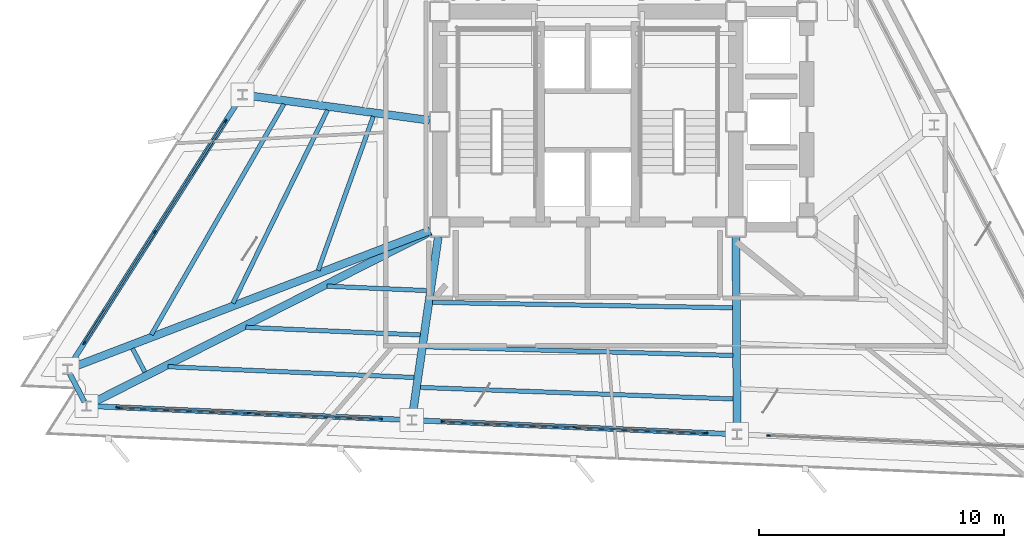
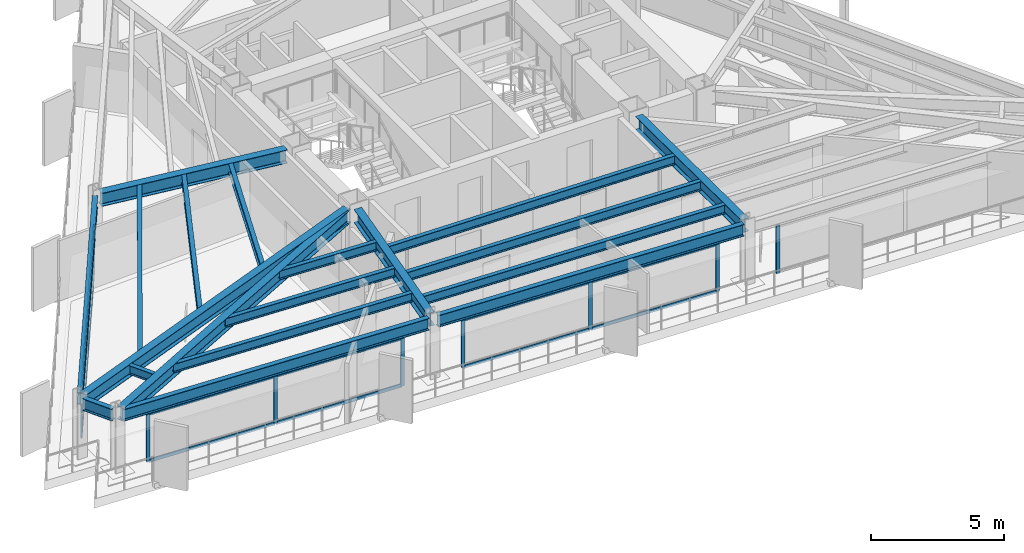
# One storey, part 2 of 12: 22 members, 19 beams, 4 elements without a shape of their own.
"""IFC4 building model written with IfcOpenShell, lengths in metres."""

from ifc_helpers import new_model, si_unit, direction, frame, origin, origin_2d, place, context, subcontext, project, spatial, rectangle, i_section, extrude, material, layer, layer_set, material_profile, profile_set, type_object, element, aggregate, save


model = new_model("IFC4")

# Units and contexts
model_context = context("Model", 3, precision=1e-05, world=origin(), true_north=direction((0.0, 1.0)))
body_context = subcontext(model_context, "Body", "Model", "MODEL_VIEW")
ifc_project = project(units=[si_unit("LENGTHUNIT", "METRE"), si_unit("AREAUNIT", "SQUARE_METRE"), si_unit("VOLUMEUNIT", "CUBIC_METRE"), si_unit("PLANEANGLEUNIT", "RADIAN"), si_unit("MASSUNIT", "GRAM", prefix="KILO")], contexts=[model_context])

# Site, building, storey
site_placement = place(None, origin())
site = spatial("IfcSite", under=ifc_project, at=site_placement, CompositionType="ELEMENT")
building_placement = place(site_placement, origin())
building = spatial("IfcBuilding", under=site, at=building_placement, Name="Rocaltana Carrier Exchange", CompositionType="ELEMENT")
storey_placement = place(building_placement, frame((0.0, 0.0, 125.919921875)))
storey = spatial("IfcBuildingStorey", under=building, at=storey_placement, Name="L39", CompositionType="ELEMENT", Elevation=125.919921875)

# Curtain wall, members
ifc_material_1 = material(Name="Aluminium 6063-T6", Category="aluminium")
ifc_layer = layer(ifc_material_1, 0.14990234375)
ifc_layer_set = layer_set([ifc_layer], Name="Aluminium 6063-T6")
curtain_wall_type = type_object("IfcCurtainWallType", Name="Mid-Tower Unitised Curtain Wall CW-03", PredefinedType="NOTDEFINED", material=ifc_layer_set)
curtain_wall_1_placement = place(storey_placement, origin())
curtain_wall_1 = element("IfcCurtainWall", 1, at=curtain_wall_1_placement, inside=storey, type_object=curtain_wall_type, Name="L39 CW-03 Run CW-L39-F2S3", PredefinedType="NOTDEFINED")
ifc_material_2 = material(Name="Aluminium 6063-T6", Category="aluminium")
ifc_material_profile_1 = material_profile(ifc_material_2, rectangle(XDim=0.06005859375, YDim=0.14990234375, at=origin_2d()), Name="AL-60X150")
ifc_profile_set_1 = profile_set([ifc_material_profile_1], Name="Aluminium 6063-T6")
member_type_1 = type_object("IfcMemberType", Name="CW-03 Mullion AL-60X150", PredefinedType="MULLION", material=ifc_profile_set_1)
member_1_placement = place(storey_placement, frame((-14.79541015625, 0.023193359375, 0.0), z_axis=(0.0, 0.0, 1.0), x_axis=(0.843390685726, -0.537300801443, 0.0)))
member_1 = element("IfcMember", 2, at=member_1_placement, type_object=member_type_1, Name="CW-03 mullion 1", PredefinedType="MULLION", context=body_context, shape_type="SweptSolid", body=[
    extrude(rectangle(XDim=0.06005859375, YDim=0.14990234375, at=origin_2d()), origin(), (0.0, 0.0, 1.0), 2.218017578125),
])
member_2_placement = place(storey_placement, frame((-17.680908203125, -4.505859375, 0.0), z_axis=(0.0, 0.0, 1.0), x_axis=(0.843390685726, -0.537300801443, 0.0)))
member_2 = element("IfcMember", 3, at=member_2_placement, type_object=member_type_1, Name="CW-03 mullion 2", PredefinedType="MULLION", context=body_context, shape_type="SweptSolid", body=[
    extrude(rectangle(XDim=0.06005859375, YDim=0.14990234375, at=origin_2d()), origin(), (0.0, 0.0, 1.0), 2.218017578125),
])
member_3_placement = place(storey_placement, frame((-20.566162109375, -9.034912109375, 0.0), z_axis=(0.0, 0.0, 1.0), x_axis=(0.843390685726, -0.537300801443, 0.0)))
member_3 = element("IfcMember", 4, at=member_3_placement, type_object=member_type_1, Name="CW-03 mullion 3", PredefinedType="MULLION", context=body_context, shape_type="SweptSolid", body=[
    extrude(rectangle(XDim=0.06005859375, YDim=0.14990234375, at=origin_2d()), origin(), (0.0, 0.0, 1.0), 2.218017578125),
])

curtain_wall_2_placement = place(storey_placement, origin())
curtain_wall_2 = element("IfcCurtainWall", 5, at=curtain_wall_2_placement, inside=storey, type_object=curtain_wall_type, Name="L39 CW-03 Run CW-L39-F3S1", PredefinedType="NOTDEFINED")
member_4_placement = place(storey_placement, frame((-19.197021484375, -11.66455078125, 0.0), z_axis=(0.0, 0.0, 1.0), x_axis=(0.043629290456, 0.999047789154, 0.0)))
member_4 = element("IfcMember", 6, at=member_4_placement, type_object=member_type_1, Name="CW-03 mullion 1", PredefinedType="MULLION", context=body_context, shape_type="SweptSolid", body=[
    extrude(rectangle(XDim=0.06005859375, YDim=0.14990234375, at=origin_2d()), origin(), (0.0, 0.0, 1.0), 2.218017578125),
])
member_5_placement = place(storey_placement, frame((-13.832275390625, -11.89892578125, 0.0), z_axis=(0.0, 0.0, 1.0), x_axis=(0.043629290456, 0.999047789154, 0.0)))
member_5 = element("IfcMember", 7, at=member_5_placement, type_object=member_type_1, Name="CW-03 mullion 2", PredefinedType="MULLION", context=body_context, shape_type="SweptSolid", body=[
    extrude(rectangle(XDim=0.06005859375, YDim=0.14990234375, at=origin_2d()), origin(), (0.0, 0.0, 1.0), 2.218017578125),
])
member_6_placement = place(storey_placement, frame((-8.46728515625, -12.13330078125, 0.0), z_axis=(0.0, 0.0, 1.0), x_axis=(0.043629290456, 0.999047789154, 0.0)))
member_6 = element("IfcMember", 8, at=member_6_placement, type_object=member_type_1, Name="CW-03 mullion 3", PredefinedType="MULLION", context=body_context, shape_type="SweptSolid", body=[
    extrude(rectangle(XDim=0.06005859375, YDim=0.14990234375, at=origin_2d()), origin(), (0.0, 0.0, 1.0), 2.218017578125),
])

curtain_wall_3_placement = place(storey_placement, origin())
curtain_wall_3 = element("IfcCurtainWall", 9, at=curtain_wall_3_placement, inside=storey, type_object=curtain_wall_type, Name="L39 CW-03 Run CW-L39-F3S2", PredefinedType="NOTDEFINED")
member_7_placement = place(storey_placement, frame((-5.90966796875, -12.244873046875, 0.0), z_axis=(0.0, 0.0, 1.0), x_axis=(0.043620452398, 0.999048175081, 0.0)))
member_7 = element("IfcMember", 10, at=member_7_placement, type_object=member_type_1, Name="CW-03 mullion 1", PredefinedType="MULLION", context=body_context, shape_type="SweptSolid", body=[
    extrude(rectangle(XDim=0.06005859375, YDim=0.14990234375, at=origin_2d()), origin(), (0.0, 0.0, 1.0), 2.218017578125),
])
member_8_placement = place(storey_placement, frame((-0.544921875, -12.47900390625, 0.0), z_axis=(0.0, 0.0, 1.0), x_axis=(0.043620452398, 0.999048175081, 0.0)))
member_8 = element("IfcMember", 11, at=member_8_placement, type_object=member_type_1, Name="CW-03 mullion 2", PredefinedType="MULLION", context=body_context, shape_type="SweptSolid", body=[
    extrude(rectangle(XDim=0.06005859375, YDim=0.14990234375, at=origin_2d()), origin(), (0.0, 0.0, 1.0), 2.218017578125),
])
member_9_placement = place(storey_placement, frame((4.820068359375, -12.71337890625, 0.0), z_axis=(0.0, 0.0, 1.0), x_axis=(0.043620452398, 0.999048175081, 0.0)))
member_9 = element("IfcMember", 12, at=member_9_placement, type_object=member_type_1, Name="CW-03 mullion 3", PredefinedType="MULLION", context=body_context, shape_type="SweptSolid", body=[
    extrude(rectangle(XDim=0.06005859375, YDim=0.14990234375, at=origin_2d()), origin(), (0.0, 0.0, 1.0), 2.218017578125),
])

# Curtain wall, member
curtain_wall_4_placement = place(storey_placement, origin())
curtain_wall_4 = element("IfcCurtainWall", 13, at=curtain_wall_4_placement, inside=storey, type_object=curtain_wall_type, Name="L39 CW-03 Run CW-L39-F3S3", PredefinedType="NOTDEFINED")
member_10_placement = place(storey_placement, frame((7.377685546875, -12.824951171875, 0.0), z_axis=(0.0, 0.0, 1.0), x_axis=(0.043629290456, 0.999047789154, 0.0)))
member_10 = element("IfcMember", 14, at=member_10_placement, type_object=member_type_1, Name="CW-03 mullion 1", PredefinedType="MULLION", context=body_context, shape_type="SweptSolid", body=[
    extrude(rectangle(XDim=0.06005859375, YDim=0.14990234375, at=origin_2d()), origin(), (0.0, 0.0, 1.0), 2.218017578125),
])
aggregate(curtain_wall_4, [member_10])

# Member
ifc_material_3 = material(Name="Aluminium 6063-T6", Category="aluminium")
ifc_material_profile_2 = material_profile(ifc_material_3, rectangle(XDim=0.06005859375, YDim=0.14990234375, at=origin_2d()), Name="AL-60X150")
ifc_profile_set_2 = profile_set([ifc_material_profile_2], Name="Aluminium 6063-T6")
member_type_2 = type_object("IfcMemberType", Name="CW-03 Transom AL-60X150", PredefinedType="USERDEFINED", material=ifc_profile_set_2)
member_11_placement = place(storey_placement, frame((-14.8115234375, -0.001953125, 0.030029296875), z_axis=(-0.537318678484, -0.843379296493, 0.0), x_axis=(0.843379296493, -0.537318678484, 0.0)))
member_11 = element("IfcMember", 15, at=member_11_placement, type_object=member_type_2, Name="CW-03 transom 1.1", ObjectType="TRANSOM", PredefinedType="USERDEFINED", context=body_context, shape_type="SweptSolid", body=[
    extrude(rectangle(XDim=0.06005859375, YDim=0.14990234375, at=origin_2d()), origin(), (0.0, 0.0, 1.0), 5.310302734375),
])

member_12_placement = place(storey_placement, frame((-14.8115234375, -0.001953125, 2.18798828125), z_axis=(-0.537318678484, -0.843379296493, 0.0), x_axis=(0.843379296493, -0.537318678484, 0.0)))
member_12 = element("IfcMember", 16, at=member_12_placement, type_object=member_type_2, Name="CW-03 transom 1.2", ObjectType="TRANSOM", PredefinedType="USERDEFINED", context=body_context, shape_type="SweptSolid", body=[
    extrude(rectangle(XDim=0.06005859375, YDim=0.14990234375, at=origin_2d()), origin(), (0.0, 0.0, 1.0), 5.310302734375),
])

member_13_placement = place(storey_placement, frame((-17.697021484375, -4.531005859375, 0.030029296875), z_axis=(-0.537285975238, -0.843400130906, 0.0), x_axis=(0.843400130906, -0.537285975238, 0.0)))
member_13 = element("IfcMember", 17, at=member_13_placement, type_object=member_type_2, Name="CW-03 transom 2.1", ObjectType="TRANSOM", PredefinedType="USERDEFINED", context=body_context, shape_type="SweptSolid", body=[
    extrude(rectangle(XDim=0.06005859375, YDim=0.14990234375, at=origin_2d()), origin(), (0.0, 0.0, 1.0), 5.31005859375),
])

member_14_placement = place(storey_placement, frame((-17.697021484375, -4.531005859375, 2.18798828125), z_axis=(-0.537285975238, -0.843400130906, 0.0), x_axis=(0.843400130906, -0.537285975238, 0.0)))
member_14 = element("IfcMember", 18, at=member_14_placement, type_object=member_type_2, Name="CW-03 transom 2.2", ObjectType="TRANSOM", PredefinedType="USERDEFINED", context=body_context, shape_type="SweptSolid", body=[
    extrude(rectangle(XDim=0.06005859375, YDim=0.14990234375, at=origin_2d()), origin(), (0.0, 0.0, 1.0), 5.31005859375),
])

aggregate(curtain_wall_1, [member_1, member_2, member_3, member_11, member_12, member_13, member_14])

member_15_placement = place(storey_placement, frame((-19.167236328125, -11.666015625, 0.030029296875), z_axis=(0.999047725225, -0.043630754314, 0.0), x_axis=(0.043630754314, 0.999047725225, 0.0)))
member_15 = element("IfcMember", 19, at=member_15_placement, type_object=member_type_2, Name="CW-03 transom 1.1", ObjectType="TRANSOM", PredefinedType="USERDEFINED", context=body_context, shape_type="SweptSolid", body=[
    extrude(rectangle(XDim=0.06005859375, YDim=0.14990234375, at=origin_2d()), origin(), (0.0, 0.0, 1.0), 5.310302734375),
])

member_16_placement = place(storey_placement, frame((-19.167236328125, -11.666015625, 2.18798828125), z_axis=(0.999047725225, -0.043630754314, 0.0), x_axis=(0.043630754314, 0.999047725225, 0.0)))
member_16 = element("IfcMember", 20, at=member_16_placement, type_object=member_type_2, Name="CW-03 transom 1.2", ObjectType="TRANSOM", PredefinedType="USERDEFINED", context=body_context, shape_type="SweptSolid", body=[
    extrude(rectangle(XDim=0.06005859375, YDim=0.14990234375, at=origin_2d()), origin(), (0.0, 0.0, 1.0), 5.310302734375),
])

member_17_placement = place(storey_placement, frame((-13.80224609375, -11.900146484375, 0.030029296875), z_axis=(0.999047637698, -0.043632758442, 0.0), x_axis=(0.043632758442, 0.999047637698, 0.0)))
member_17 = element("IfcMember", 21, at=member_17_placement, type_object=member_type_2, Name="CW-03 transom 2.1", ObjectType="TRANSOM", PredefinedType="USERDEFINED", context=body_context, shape_type="SweptSolid", body=[
    extrude(rectangle(XDim=0.06005859375, YDim=0.14990234375, at=origin_2d()), origin(), (0.0, 0.0, 1.0), 5.31005859375),
])

member_18_placement = place(storey_placement, frame((-13.80224609375, -11.900146484375, 2.18798828125), z_axis=(0.999047637698, -0.043632758442, 0.0), x_axis=(0.043632758442, 0.999047637698, 0.0)))
member_18 = element("IfcMember", 22, at=member_18_placement, type_object=member_type_2, Name="CW-03 transom 2.2", ObjectType="TRANSOM", PredefinedType="USERDEFINED", context=body_context, shape_type="SweptSolid", body=[
    extrude(rectangle(XDim=0.06005859375, YDim=0.14990234375, at=origin_2d()), origin(), (0.0, 0.0, 1.0), 5.31005859375),
])

aggregate(curtain_wall_2, [member_4, member_5, member_6, member_15, member_16, member_17, member_18])

member_19_placement = place(storey_placement, frame((-5.879638671875, -12.24609375, 0.030029296875), z_axis=(0.999047637698, -0.043632758442, 0.0), x_axis=(0.043632758442, 0.999047637698, 0.0)))
member_19 = element("IfcMember", 23, at=member_19_placement, type_object=member_type_2, Name="CW-03 transom 1.1", ObjectType="TRANSOM", PredefinedType="USERDEFINED", context=body_context, shape_type="SweptSolid", body=[
    extrude(rectangle(XDim=0.06005859375, YDim=0.14990234375, at=origin_2d()), origin(), (0.0, 0.0, 1.0), 5.31005859375),
])

member_20_placement = place(storey_placement, frame((-5.879638671875, -12.24609375, 2.18798828125), z_axis=(0.999047637698, -0.043632758442, 0.0), x_axis=(0.043632758442, 0.999047637698, 0.0)))
member_20 = element("IfcMember", 24, at=member_20_placement, type_object=member_type_2, Name="CW-03 transom 1.2", ObjectType="TRANSOM", PredefinedType="USERDEFINED", context=body_context, shape_type="SweptSolid", body=[
    extrude(rectangle(XDim=0.06005859375, YDim=0.14990234375, at=origin_2d()), origin(), (0.0, 0.0, 1.0), 5.31005859375),
])

member_21_placement = place(storey_placement, frame((-0.514892578125, -12.48046875, 0.030029296875), z_axis=(0.999049640868, -0.04358686822, 0.0), x_axis=(0.04358686822, 0.999049640868, 0.0)))
member_21 = element("IfcMember", 25, at=member_21_placement, type_object=member_type_2, Name="CW-03 transom 2.1", ObjectType="TRANSOM", PredefinedType="USERDEFINED", context=body_context, shape_type="SweptSolid", body=[
    extrude(rectangle(XDim=0.06005859375, YDim=0.14990234375, at=origin_2d()), origin(), (0.0, 0.0, 1.0), 5.31005859375),
])

member_22_placement = place(storey_placement, frame((-0.514892578125, -12.48046875, 2.18798828125), z_axis=(0.999049640868, -0.04358686822, 0.0), x_axis=(0.04358686822, 0.999049640868, 0.0)))
member_22 = element("IfcMember", 26, at=member_22_placement, type_object=member_type_2, Name="CW-03 transom 2.2", ObjectType="TRANSOM", PredefinedType="USERDEFINED", context=body_context, shape_type="SweptSolid", body=[
    extrude(rectangle(XDim=0.06005859375, YDim=0.14990234375, at=origin_2d()), origin(), (0.0, 0.0, 1.0), 5.31005859375),
])

aggregate(curtain_wall_3, [member_7, member_8, member_9, member_19, member_20, member_21, member_22])

# Beams
ifc_material_4 = material(Name="Steel S355", Category="steel")
ifc_material_profile_3 = material_profile(ifc_material_4, i_section(OverallWidth=0.179931640625, OverallDepth=0.4130859375, WebThickness=0.009765625, FlangeThickness=0.01611328125, FilletRadius=0.012939453125, at=origin_2d()), Name="W16X50")
ifc_profile_set_3 = profile_set([ifc_material_profile_3], Name="Steel S355")
beam_type_1 = type_object("IfcBeamType", Name="Floor Joist W16X50", PredefinedType="JOIST", material=ifc_profile_set_3)
beam_1_placement = place(storey_placement, frame((-8.76171875, 0.217041015625, 2.58154296875), z_axis=(-0.33724376494, -0.941417358566, 0.0), x_axis=(0.941417358566, -0.33724376494, 0.0)))
element("IfcBeam", 27, at=beam_1_placement, inside=storey, type_object=beam_type_1, Name="FJ-L39-07-1", PredefinedType="JOIST", context=body_context, shape_type="SweptSolid", body=[
    extrude(i_section(OverallWidth=0.179931640625, OverallDepth=0.4130859375, WebThickness=0.009765625, FlangeThickness=0.01611328125, FilletRadius=0.012939453125, at=origin_2d()), origin(), (0.0, 0.0, 1.0), 6.680419921875),
])
beam_2_placement = place(storey_placement, frame((-10.631103515625, 0.4775390625, 2.58154296875), z_axis=(-0.439708785258, -0.898140403371, 0.0), x_axis=(0.898140403371, -0.439708785258, 0.0)))
element("IfcBeam", 28, at=beam_2_placement, inside=storey, type_object=beam_type_1, Name="FJ-L39-07-2", PredefinedType="JOIST", context=body_context, shape_type="SweptSolid", body=[
    extrude(i_section(OverallWidth=0.179931640625, OverallDepth=0.4130859375, WebThickness=0.009765625, FlangeThickness=0.01611328125, FilletRadius=0.012939453125, at=origin_2d()), origin(), (0.0, 0.0, 1.0), 8.788818359375),
])
beam_3_placement = place(storey_placement, frame((-12.412841796875, 0.724853515625, 2.58154296875), z_axis=(-0.498415428492, -0.866938325742, 0.0), x_axis=(0.866938325742, -0.498415428492, 0.0)))
element("IfcBeam", 29, at=beam_3_placement, inside=storey, type_object=beam_type_1, Name="FJ-L39-07-3", PredefinedType="JOIST", context=body_context, shape_type="SweptSolid", body=[
    extrude(i_section(OverallWidth=0.179931640625, OverallDepth=0.4130859375, WebThickness=0.009765625, FlangeThickness=0.01611328125, FilletRadius=0.012939453125, at=origin_2d()), origin(), (0.0, 0.0, 1.0), 10.871337890625),
])
beam_4_placement = place(storey_placement, frame((-18.59716796875, -9.26416015625, 2.58154296875), z_axis=(0.461805518623, -0.886981207788, 0.0), x_axis=(0.886981207788, 0.461805518623, 0.0)))
element("IfcBeam", 30, at=beam_4_placement, inside=storey, type_object=beam_type_1, Name="FJ-L39-08-3", PredefinedType="JOIST", context=body_context, shape_type="SweptSolid", body=[
    extrude(i_section(OverallWidth=0.179931640625, OverallDepth=0.4130859375, WebThickness=0.009765625, FlangeThickness=0.01611328125, FilletRadius=0.012939453125, at=origin_2d()), origin(), (0.0, 0.0, 1.0), 1.08642578125),
])
beam_5_placement = place(storey_placement, frame((-10.65478515625, -6.71875, 2.58154296875), z_axis=(0.999049367243, -0.043593139496, 0.0), x_axis=(0.043593139496, 0.999049367243, 0.0)))
element("IfcBeam", 31, at=beam_5_placement, inside=storey, type_object=beam_type_1, Name="FJ-L39-09-1", PredefinedType="JOIST", context=body_context, shape_type="SweptSolid", body=[
    extrude(i_section(OverallWidth=0.179931640625, OverallDepth=0.4130859375, WebThickness=0.009765625, FlangeThickness=0.01611328125, FilletRadius=0.012939453125, at=origin_2d()), origin(), (0.0, 0.0, 1.0), 4.0771484375),
])
beam_6_placement = place(storey_placement, frame((-13.97265625, -8.399658203125, 2.58154296875), z_axis=(0.999048136887, -0.043621327164, 0.0), x_axis=(0.043621327164, 0.999048136887, 0.0)))
element("IfcBeam", 32, at=beam_6_placement, inside=storey, type_object=beam_type_1, Name="FJ-L39-09-2", PredefinedType="JOIST", context=body_context, shape_type="SweptSolid", body=[
    extrude(i_section(OverallWidth=0.179931640625, OverallDepth=0.4130859375, WebThickness=0.009765625, FlangeThickness=0.01611328125, FilletRadius=0.012939453125, at=origin_2d()), origin(), (0.0, 0.0, 1.0), 7.135986328125),
])
beam_7_placement = place(storey_placement, frame((-17.146484375, -10.0078125, 2.58154296875), z_axis=(0.999049003147, -0.043601482906, 0.0), x_axis=(0.043601482906, 0.999049003147, 0.0)))
element("IfcBeam", 33, at=beam_7_placement, inside=storey, type_object=beam_type_1, Name="FJ-L39-09-3", PredefinedType="JOIST", context=body_context, shape_type="SweptSolid", body=[
    extrude(i_section(OverallWidth=0.179931640625, OverallDepth=0.4130859375, WebThickness=0.009765625, FlangeThickness=0.01611328125, FilletRadius=0.012939453125, at=origin_2d()), origin(), (0.0, 0.0, 1.0), 10.06201171875),
])
beam_8_placement = place(storey_placement, frame((-6.337890625, -7.37939453125, 2.58154296875), z_axis=(0.999837766755, -0.018012222821, 0.0), x_axis=(0.018012222821, 0.999837766755, 0.0)))
element("IfcBeam", 34, at=beam_8_placement, inside=storey, type_object=beam_type_1, Name="FJ-L39-10-1", PredefinedType="JOIST", context=body_context, shape_type="SweptSolid", body=[
    extrude(i_section(OverallWidth=0.179931640625, OverallDepth=0.4130859375, WebThickness=0.009765625, FlangeThickness=0.01611328125, FilletRadius=0.012939453125, at=origin_2d()), origin(), (0.0, 0.0, 1.0), 12.2529296875),
])
beam_9_placement = place(storey_placement, frame((-6.599853515625, -9.195556640625, 2.58154296875), z_axis=(0.999607887899, -0.028001258015, 0.0), x_axis=(0.028001258015, 0.999607887899, 0.0)))
element("IfcBeam", 35, at=beam_9_placement, inside=storey, type_object=beam_type_1, Name="FJ-L39-10-2", PredefinedType="JOIST", context=body_context, shape_type="SweptSolid", body=[
    extrude(i_section(OverallWidth=0.179931640625, OverallDepth=0.4130859375, WebThickness=0.009765625, FlangeThickness=0.01611328125, FilletRadius=0.012939453125, at=origin_2d()), origin(), (0.0, 0.0, 1.0), 12.529052734375),
])
beam_10_placement = place(storey_placement, frame((-6.839111328125, -10.853515625, 2.58154296875), z_axis=(0.999323856685, -0.036767233503, 0.0), x_axis=(0.036767233503, 0.999323856685, 0.0)))
element("IfcBeam", 36, at=beam_10_placement, inside=storey, type_object=beam_type_1, Name="FJ-L39-10-3", PredefinedType="JOIST", context=body_context, shape_type="SweptSolid", body=[
    extrude(i_section(OverallWidth=0.179931640625, OverallDepth=0.4130859375, WebThickness=0.009765625, FlangeThickness=0.01611328125, FilletRadius=0.012939453125, at=origin_2d()), origin(), (0.0, 0.0, 1.0), 12.7822265625),
])
ifc_material_5 = material(Name="Steel S355", Category="steel")
ifc_material_profile_4 = material_profile(ifc_material_5, i_section(OverallWidth=0.323974609375, OverallDepth=0.611083984375, WebThickness=0.0126953125, FlangeThickness=0.01904296875, FilletRadius=0.01611328125, at=origin_2d()), Name="W24X104")
ifc_profile_set_4 = profile_set([ifc_material_profile_4], Name="Steel S355")
beam_type_2 = type_object("IfcBeamType", Name="Radial Girder W24X104", PredefinedType="BEAM", material=ifc_profile_set_4)
beam_11_placement = place(storey_placement, frame((-6.463134765625, 0.056396484375, 2.482666015625), z_axis=(-0.99076030622, 0.13562453915, 0.0), x_axis=(-0.13562453915, -0.99076030622, 0.0)))
element("IfcBeam", 37, at=beam_11_placement, inside=storey, type_object=beam_type_2, Name="RG-L39-07", PredefinedType="BEAM", context=body_context, shape_type="SweptSolid", body=[
    extrude(i_section(OverallWidth=0.323974609375, OverallDepth=0.611083984375, WebThickness=0.0126953125, FlangeThickness=0.01904296875, FilletRadius=0.01611328125, at=origin_2d()), origin(), (0.0, 0.0, 1.0), 7.52099609375),
])
beam_12_placement = place(storey_placement, frame((-6.439453125, -4.448974609375, 2.482666015625), z_axis=(-0.934030732637, -0.357192651784, 0.0), x_axis=(0.357192651784, -0.934030732637, 0.0)))
element("IfcBeam", 38, at=beam_12_placement, inside=storey, type_object=beam_type_2, Name="RG-L39-08", PredefinedType="BEAM", context=body_context, shape_type="SweptSolid", body=[
    extrude(i_section(OverallWidth=0.323974609375, OverallDepth=0.611083984375, WebThickness=0.0126953125, FlangeThickness=0.01904296875, FilletRadius=0.01611328125, at=origin_2d()), origin(), (0.0, 0.0, 1.0), 15.665771484375),
])
beam_13_placement = place(storey_placement, frame((-6.422119140625, -4.488525390625, 2.482666015625), z_axis=(-0.892042186248, -0.451952141221, 0.0), x_axis=(0.451952141221, -0.892042186248, 0.0)))
element("IfcBeam", 39, at=beam_13_placement, inside=storey, type_object=beam_type_2, Name="RG-L39-09", PredefinedType="BEAM", context=body_context, shape_type="SweptSolid", body=[
    extrude(i_section(OverallWidth=0.323974609375, OverallDepth=0.611083984375, WebThickness=0.0126953125, FlangeThickness=0.01904296875, FilletRadius=0.01611328125, at=origin_2d()), origin(), (0.0, 0.0, 1.0), 15.5595703125),
])
beam_14_placement = place(storey_placement, frame((-6.109619140625, -4.712646484375, 2.482666015625), z_axis=(-0.142823907608, -0.989748115136, 0.0), x_axis=(0.989748115136, -0.142823907608, 0.0)))
element("IfcBeam", 40, at=beam_14_placement, inside=storey, type_object=beam_type_2, Name="RG-L39-10", PredefinedType="BEAM", context=body_context, shape_type="SweptSolid", body=[
    extrude(i_section(OverallWidth=0.323974609375, OverallDepth=0.611083984375, WebThickness=0.0126953125, FlangeThickness=0.01904296875, FilletRadius=0.01611328125, at=origin_2d()), origin(), (0.0, 0.0, 1.0), 7.35888671875),
])
beam_15_placement = place(storey_placement, frame((6.052490234375, -4.717041015625, 2.482666015625), z_axis=(0.0057482815, -0.999983478493, 0.0), x_axis=(0.999983478493, 0.0057482815, 0.0)))
element("IfcBeam", 41, at=beam_15_placement, inside=storey, type_object=beam_type_2, Name="RG-L39-11", PredefinedType="BEAM", context=body_context, shape_type="SweptSolid", body=[
    extrude(i_section(OverallWidth=0.323974609375, OverallDepth=0.611083984375, WebThickness=0.0126953125, FlangeThickness=0.01904296875, FilletRadius=0.01611328125, at=origin_2d()), origin(), (0.0, 0.0, 1.0), 7.857421875),
])
ifc_material_6 = material(Name="Steel S355", Category="steel")
ifc_material_profile_5 = material_profile(ifc_material_6, i_section(OverallWidth=0.2119140625, OverallDepth=0.5439453125, WebThickness=0.01318359375, FlangeThickness=0.021240234375, FilletRadius=0.014892578125, at=origin_2d()), Name="W21X83")
ifc_profile_set_5 = profile_set([ifc_material_profile_5], Name="Steel S355")
beam_type_3 = type_object("IfcBeamType", Name="Spandrel Edge Beam W21X83", PredefinedType="SPANDREL", material=ifc_profile_set_5)
beam_16_placement = place(storey_placement, frame((-14.212646484375, 0.938232421875, 2.51611328125), z_axis=(-0.53730737778, -0.843386496088, 0.0), x_axis=(0.843386496088, -0.53730737778, 0.0)))
element("IfcBeam", 42, at=beam_16_placement, inside=storey, type_object=beam_type_3, Name="SP-L39-07", PredefinedType="SPANDREL", context=body_context, shape_type="SweptSolid", body=[
    extrude(i_section(OverallWidth=0.2119140625, OverallDepth=0.5439453125, WebThickness=0.01318359375, FlangeThickness=0.021240234375, FilletRadius=0.014892578125, at=origin_2d()), origin(), (0.0, 0.0, 1.0), 12.90966796875),
])
beam_17_placement = place(storey_placement, frame((-21.163818359375, -10.287353515625, 2.51611328125), z_axis=(0.461786087102, -0.886991324512, 0.0), x_axis=(0.886991324512, 0.461786087102, 0.0)))
element("IfcBeam", 43, at=beam_17_placement, inside=storey, type_object=beam_type_3, Name="SP-L39-08", PredefinedType="SPANDREL", context=body_context, shape_type="SweptSolid", body=[
    extrude(i_section(OverallWidth=0.2119140625, OverallDepth=0.5439453125, WebThickness=0.01318359375, FlangeThickness=0.021240234375, FilletRadius=0.014892578125, at=origin_2d()), origin(), (0.0, 0.0, 1.0), 1.294677734375),
])
for number, where, z_axis, x_axis, name in (
    (44, (-20.281005859375, -11.6171875, 2.51611328125), (0.999047862202, -0.04362761775, 0.0), (0.04362761775, 0.999047862202, 0.0), "SP-L39-09"),
    (45, (-6.99365234375, -12.197509765625, 2.51611328125), (0.999048686279, -0.043608742747, 0.0), (0.043608742747, 0.999048686279, 0.0), "SP-L39-10"),
):
    element("IfcBeam", number, at=place(storey_placement, frame(where, z_axis=z_axis, x_axis=x_axis)), inside=storey, type_object=beam_type_3, Name=name, PredefinedType="SPANDREL", context=body_context, shape_type="SweptSolid", body=[
        extrude(i_section(OverallWidth=0.2119140625, OverallDepth=0.5439453125, WebThickness=0.01318359375, FlangeThickness=0.021240234375, FilletRadius=0.014892578125, at=origin_2d()), origin(), (0.0, 0.0, 1.0), 12.909912109375),
    ])

save(model, "model.ifc")
